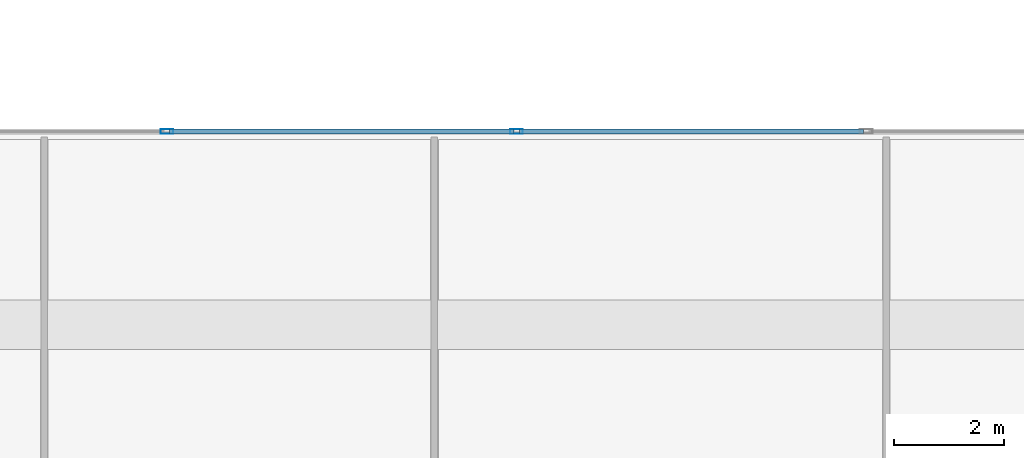
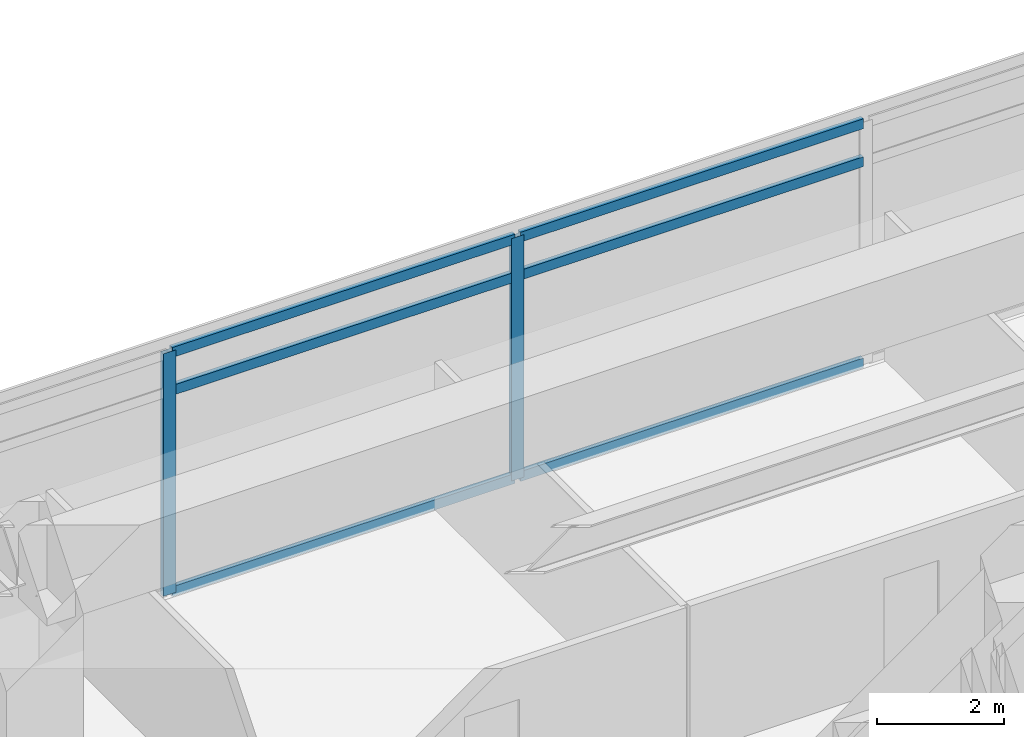
# One storey, part 9 of 19: 8 members, 1 element without a shape of its own.
"""IFC4 building model written with IfcOpenShell, lengths in metres."""

from ifc_helpers import new_model, si_unit, direction, frame, origin, origin_2d, place, context, subcontext, project, spatial, hollow_rectangle, extrude, material, material_profile, profile_set, type_object, element, aggregate, save


model = new_model("IFC4")

# Units and contexts
model_context = context("Model", 3, precision=1e-05, world=origin(), true_north=direction((0.0, 1.0)))
body_context = subcontext(model_context, "Body", "Model", "MODEL_VIEW")
ifc_project = project(units=[si_unit("LENGTHUNIT", "METRE"), si_unit("AREAUNIT", "SQUARE_METRE"), si_unit("VOLUMEUNIT", "CUBIC_METRE"), si_unit("PLANEANGLEUNIT", "RADIAN"), si_unit("MASSUNIT", "GRAM", prefix="KILO")], contexts=[model_context])

# Site, building, storey
site_placement = place(None, origin())
site = spatial("IfcSite", under=ifc_project, at=site_placement, CompositionType="ELEMENT")
building_placement = place(site_placement, origin())
building = spatial("IfcBuilding", under=site, at=building_placement, Name="Kovane Verandah Tower", CompositionType="ELEMENT")
storey_placement = place(building_placement, frame((0.0, 0.0, 184.39990234375)))
storey = spatial("IfcBuildingStorey", under=building, at=storey_placement, Name="L43", CompositionType="ELEMENT", Elevation=184.39990234375)

# Curtain wall, members
ifc_material_1 = material(Name="Champagne Anodised Aluminium Frame with Low-E Clear Laminated Glass", Category="aluminium")
curtain_wall_type = type_object("IfcCurtainWallType", Name="CW-SYS-04-WAIST", PredefinedType="NOTDEFINED", material=ifc_material_1)
curtain_wall_placement = place(storey_placement, origin())
curtain_wall = element("IfcCurtainWall", 1, at=curtain_wall_placement, inside=storey, type_object=curtain_wall_type, Name="L43 N Unitised Curtain Wall", PredefinedType="NOTDEFINED")
ifc_material_2 = material(Name="Champagne Anodised Aluminium 6063-T6", Category="aluminium")
ifc_material_profile_1 = material_profile(ifc_material_2, hollow_rectangle(XDim=0.0849609375, YDim=0.22998046875, WallThickness=0.00390625, at=origin_2d()), Name="AL85x230x4")
ifc_profile_set_1 = profile_set([ifc_material_profile_1], Name="Champagne Anodised Aluminium 6063-T6")
member_type_1 = type_object("IfcMemberType", Name="CW-MUL-85x230", PredefinedType="MULLION", material=ifc_profile_set_1)
member_1_placement = place(storey_placement, frame((40.0, 47.699951171875, 0.02001953125), z_axis=(0.0, 0.0, 1.0), x_axis=(0.0, 1.0, 0.0)))
member_1 = element("IfcMember", 2, at=member_1_placement, type_object=member_type_1, Name="L43 N Unitised Curtain Wall Mullion 4", PredefinedType="MULLION", context=body_context, shape_type="SweptSolid", body=[
    extrude(hollow_rectangle(XDim=0.0849609375, YDim=0.22998046875, WallThickness=0.00390625, at=origin_2d()), origin(), (0.0, 0.0, 1.0), 4.66015625),
])
member_2_placement = place(storey_placement, frame((33.666748046875, 47.699951171875, 0.02001953125), z_axis=(0.0, 0.0, 1.0), x_axis=(0.0, 1.0, 0.0)))
member_2 = element("IfcMember", 3, at=member_2_placement, type_object=member_type_1, Name="L43 N Unitised Curtain Wall Mullion 5", PredefinedType="MULLION", context=body_context, shape_type="SweptSolid", body=[
    extrude(hollow_rectangle(XDim=0.0849609375, YDim=0.22998046875, WallThickness=0.00390625, at=origin_2d()), origin(), (0.0, 0.0, 1.0), 4.66015625),
])
ifc_material_profile_2 = material_profile(ifc_material_2, hollow_rectangle(XDim=0.0849609375, YDim=0.18994140625, WallThickness=0.00390625, at=origin_2d()), Name="AL85x190x4")
ifc_profile_set_2 = profile_set([ifc_material_profile_2], Name="Champagne Anodised Aluminium 6063-T6")
member_type_2 = type_object("IfcMemberType", Name="CW-TRN-85x190", PredefinedType="USERDEFINED", material=ifc_profile_set_2)
member_3_placement = place(storey_placement, frame((46.283203125, 47.699951171875, 0.050048828125), z_axis=(-1.0, 0.0, 0.0), x_axis=(0.0, -1.0, 0.0)))
member_3 = element("IfcMember", 4, at=member_3_placement, type_object=member_type_2, Name="L43 N Unitised Curtain Wall Transom TB Bay 3", ObjectType="TRANSOM", PredefinedType="USERDEFINED", context=body_context, shape_type="SweptSolid", body=[
    extrude(hollow_rectangle(XDim=0.0849609375, YDim=0.18994140625, WallThickness=0.00390625, at=origin_2d()), origin(), (0.0, 0.0, 1.0), 6.233154296875),
])
member_4_placement = place(storey_placement, frame((46.283203125, 47.699951171875, 3.920166015625), z_axis=(-1.0, 0.0, 0.0), x_axis=(0.0, -1.0, 0.0)))
member_4 = element("IfcMember", 5, at=member_4_placement, type_object=member_type_2, Name="L43 N Unitised Curtain Wall Transom TM Bay 3", ObjectType="TRANSOM", PredefinedType="USERDEFINED", context=body_context, shape_type="SweptSolid", body=[
    extrude(hollow_rectangle(XDim=0.0849609375, YDim=0.18994140625, WallThickness=0.00390625, at=origin_2d()), origin(), (0.0, 0.0, 1.0), 6.233154296875),
])
member_5_placement = place(storey_placement, frame((46.283203125, 47.699951171875, 4.650146484375), z_axis=(-1.0, 0.0, 0.0), x_axis=(0.0, -1.0, 0.0)))
member_5 = element("IfcMember", 6, at=member_5_placement, type_object=member_type_2, Name="L43 N Unitised Curtain Wall Transom TT Bay 3", ObjectType="TRANSOM", PredefinedType="USERDEFINED", context=body_context, shape_type="SweptSolid", body=[
    extrude(hollow_rectangle(XDim=0.0849609375, YDim=0.18994140625, WallThickness=0.00390625, at=origin_2d()), origin(), (0.0, 0.0, 1.0), 6.233154296875),
])
member_6_placement = place(storey_placement, frame((39.949951171875, 47.699951171875, 0.050048828125), z_axis=(-1.0, 0.0, 0.0), x_axis=(0.0, -1.0, 0.0)))
member_6 = element("IfcMember", 7, at=member_6_placement, type_object=member_type_2, Name="L43 N Unitised Curtain Wall Transom TB Bay 4", ObjectType="TRANSOM", PredefinedType="USERDEFINED", context=body_context, shape_type="SweptSolid", body=[
    extrude(hollow_rectangle(XDim=0.0849609375, YDim=0.18994140625, WallThickness=0.00390625, at=origin_2d()), origin(), (0.0, 0.0, 1.0), 6.233154296875),
])
member_7_placement = place(storey_placement, frame((39.949951171875, 47.699951171875, 3.920166015625), z_axis=(-1.0, 0.0, 0.0), x_axis=(0.0, -1.0, 0.0)))
member_7 = element("IfcMember", 8, at=member_7_placement, type_object=member_type_2, Name="L43 N Unitised Curtain Wall Transom TM Bay 4", ObjectType="TRANSOM", PredefinedType="USERDEFINED", context=body_context, shape_type="SweptSolid", body=[
    extrude(hollow_rectangle(XDim=0.0849609375, YDim=0.18994140625, WallThickness=0.00390625, at=origin_2d()), origin(), (0.0, 0.0, 1.0), 6.233154296875),
])
member_8_placement = place(storey_placement, frame((39.949951171875, 47.699951171875, 4.650146484375), z_axis=(-1.0, 0.0, 0.0), x_axis=(0.0, -1.0, 0.0)))
member_8 = element("IfcMember", 9, at=member_8_placement, type_object=member_type_2, Name="L43 N Unitised Curtain Wall Transom TT Bay 4", ObjectType="TRANSOM", PredefinedType="USERDEFINED", context=body_context, shape_type="SweptSolid", body=[
    extrude(hollow_rectangle(XDim=0.0849609375, YDim=0.18994140625, WallThickness=0.00390625, at=origin_2d()), origin(), (0.0, 0.0, 1.0), 6.233154296875),
])
aggregate(curtain_wall, [member_1, member_2, member_3, member_4, member_5, member_6, member_7, member_8])

save(model, "model.ifc")
